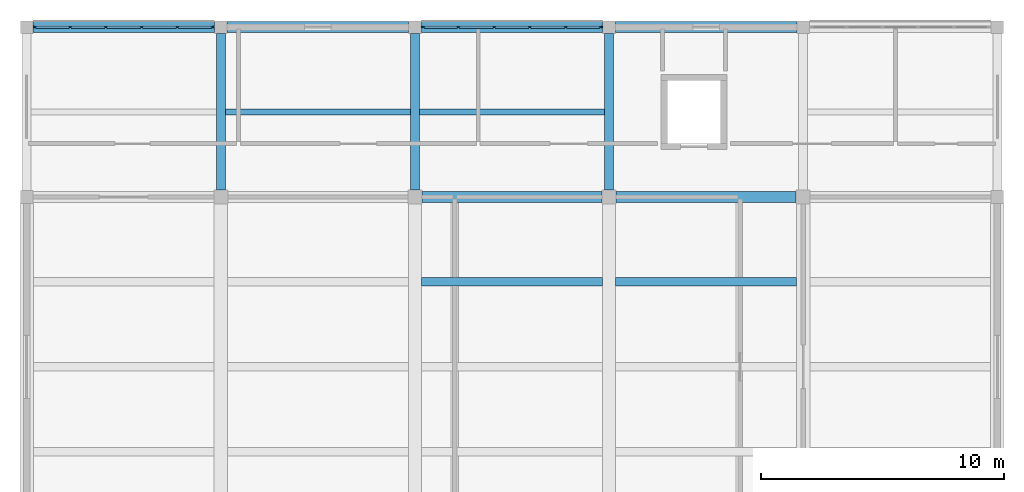
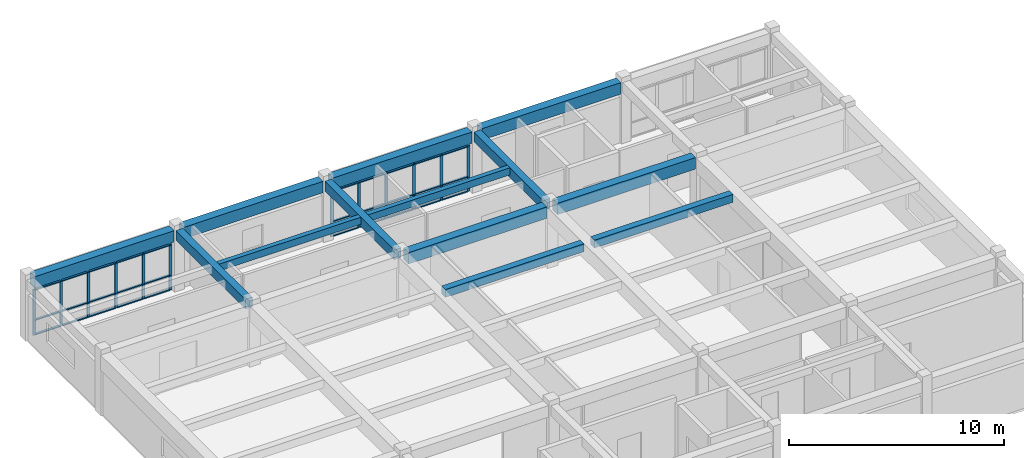
# One storey, part 2 of 7: 42 members, 13 beams, 2 elements without a shape of their own.
"""IFC4 building model written with IfcOpenShell, lengths in metres."""

from ifc_helpers import new_model, si_unit, direction, frame, origin, origin_2d, place, context, subcontext, project, spatial, rectangle, extrude, material, layer, layer_set, material_profile, profile_set, type_object, element, aggregate, save


model = new_model("IFC4")

# Units and contexts
model_context = context("Model", 3, precision=1e-05, world=origin(), true_north=direction((0.0, 1.0)))
body_context = subcontext(model_context, "Body", "Model", "MODEL_VIEW")
ifc_project = project(units=[si_unit("LENGTHUNIT", "METRE"), si_unit("AREAUNIT", "SQUARE_METRE"), si_unit("VOLUMEUNIT", "CUBIC_METRE"), si_unit("PLANEANGLEUNIT", "RADIAN"), si_unit("MASSUNIT", "GRAM", prefix="KILO")], contexts=[model_context])

# Site, building, storey
site_placement = place(None, origin())
site = spatial("IfcSite", under=ifc_project, at=site_placement, CompositionType="ELEMENT")
building_placement = place(site_placement, origin())
building = spatial("IfcBuilding", under=site, at=building_placement, Name="Naurynzar Civic Courthouse", CompositionType="ELEMENT")
storey_placement = place(building_placement, frame((0.0, 0.0, 37.050048828125)))
storey = spatial("IfcBuildingStorey", under=building, at=storey_placement, Name="L10", CompositionType="ELEMENT", Elevation=37.050048828125)

# Beams
ifc_material_1 = material(Name="Concrete C40/50", Category="concrete")
ifc_material_profile_1 = material_profile(ifc_material_1, rectangle(XDim=0.25, YDim=0.39990234375, at=origin_2d()), Name="RCB 250x400")
ifc_profile_set_1 = profile_set([ifc_material_profile_1], Name="Concrete C40/50")
beam_type_1 = type_object("IfcBeamType", Name="BM-JST-250x400", PredefinedType="JOIST", material=ifc_profile_set_1)
for number, where, z_axis, x_axis, name in (
    (1, (77.1875, 68.5, 3.27001953125), (1.0, 0.0, 0.0), (0.0, 1.0, 0.0), "V2 secondary rib 1183 L10"),
    (2, (85.1875, 68.5, 3.27001953125), (1.0, 0.0, 0.0), (0.0, 1.0, 0.0), "V2 secondary rib 1184 L10"),
):
    element("IfcBeam", number, at=place(storey_placement, frame(where, z_axis=z_axis, x_axis=x_axis)), inside=storey, type_object=beam_type_1, Name=name, PredefinedType="JOIST", context=body_context, shape_type="SweptSolid", body=[
        extrude(rectangle(XDim=0.25, YDim=0.39990234375, at=origin_2d()), origin(), (0.0, 0.0, 1.0), 7.625),
    ])
ifc_material_2 = material(Name="Concrete C40/50", Category="concrete")
ifc_material_profile_2 = material_profile(ifc_material_2, rectangle(XDim=0.35009765625, YDim=0.449951171875, at=origin_2d()), Name="RCB 350x450")
ifc_profile_set_2 = profile_set([ifc_material_profile_2], Name="Concrete C40/50")
beam_type_2 = type_object("IfcBeamType", Name="BM-RC-350x450", PredefinedType="BEAM", material=ifc_profile_set_2)
for number, where, z_axis, x_axis, name in (
    (3, (85.27490234375, 61.5, 3.244873046875), (1.0, 0.0, 0.0), (0.0, 1.0, 0.0), "V2 secondary rib 1175 L10"),
    (4, (93.27490234375, 61.5, 3.244873046875), (1.0, 0.0, 0.0), (0.0, 1.0, 0.0), "V2 secondary rib 1178 L10"),
):
    element("IfcBeam", number, at=place(storey_placement, frame(where, z_axis=z_axis, x_axis=x_axis)), inside=storey, type_object=beam_type_2, Name=name, PredefinedType="BEAM", context=body_context, shape_type="SweptSolid", body=[
        extrude(rectangle(XDim=0.35009765625, YDim=0.449951171875, at=origin_2d()), origin(), (0.0, 0.0, 1.0), 7.4501953125),
    ])
ifc_material_3 = material(Name="Concrete C40/50", Category="concrete")
ifc_material_profile_3 = material_profile(ifc_material_3, rectangle(XDim=0.375, YDim=0.550048828125, at=origin_2d()), Name="RCB 375x550")
ifc_profile_set_3 = profile_set([ifc_material_profile_3], Name="Concrete C40/50")
beam_type_3 = type_object("IfcBeamType", Name="BM-RC-375x550", PredefinedType="BEAM", material=ifc_profile_set_3)
for number, where, z_axis, x_axis, name in (
    (5, (77.0, 65.28759765625, 3.195068359375), (0.0, 1.0, 0.0), (-1.0, 0.0, 0.0), "V2 girder Y-1153 L10"),
    (6, (85.0, 65.28759765625, 3.195068359375), (0.0, 1.0, 0.0), (-1.0, 0.0, 0.0), "V2 girder Y-1156 L10"),
    (7, (93.0, 65.28759765625, 3.195068359375), (0.0, 1.0, 0.0), (-1.0, 0.0, 0.0), "V2 girder Y-1159 L10"),
):
    element("IfcBeam", number, at=place(storey_placement, frame(where, z_axis=z_axis, x_axis=x_axis)), inside=storey, type_object=beam_type_3, Name=name, PredefinedType="BEAM", context=body_context, shape_type="SweptSolid", body=[
        extrude(rectangle(XDim=0.375, YDim=0.550048828125, at=origin_2d()), origin(), (0.0, 0.0, 1.0), 6.449951171875),
    ])
ifc_material_4 = material(Name="Concrete C40/50", Category="concrete")
ifc_material_profile_4 = material_profile(ifc_material_4, rectangle(XDim=0.449951171875, YDim=0.64990234375, at=origin_2d()), Name="RCB 450x650")
ifc_profile_set_4 = profile_set([ifc_material_profile_4], Name="Concrete C40/50")
beam_type_4 = type_object("IfcBeamType", Name="BM-RC-450x650", PredefinedType="BEAM", material=ifc_profile_set_4)
for number, where, z_axis, x_axis, name in (
    (8, (85.28759765625, 65.0, 3.14501953125), (1.0, 0.0, 0.0), (0.0, 1.0, 0.0), "V2 beam X-1140 L10"),
    (9, (93.28759765625, 65.0, 3.14501953125), (1.0, 0.0, 0.0), (0.0, 1.0, 0.0), "V2 beam X-1141 L10"),
):
    element("IfcBeam", number, at=place(storey_placement, frame(where, z_axis=z_axis, x_axis=x_axis)), inside=storey, type_object=beam_type_4, Name=name, PredefinedType="BEAM", context=body_context, shape_type="SweptSolid", body=[
        extrude(rectangle(XDim=0.449951171875, YDim=0.64990234375, at=origin_2d()), origin(), (0.0, 0.0, 1.0), 7.4248046875),
    ])
for number, where, z_axis, x_axis, name in (
    (10, (69.262451171875, 72.0, 3.14501953125), (1.0, 0.0, 0.0), (0.0, 1.0, 0.0), "V2 beam X-1143 L10"),
    (11, (77.262451171875, 72.0, 3.14501953125), (1.0, 0.0, 0.0), (0.0, 1.0, 0.0), "V2 beam X-1144 L10"),
    (12, (85.262451171875, 72.0, 3.14501953125), (1.0, 0.0, 0.0), (0.0, 1.0, 0.0), "V2 beam X-1145 L10"),
    (13, (93.262451171875, 72.0, 3.14501953125), (1.0, 0.0, 0.0), (0.0, 1.0, 0.0), "V2 beam X-1146 L10"),
):
    element("IfcBeam", number, at=place(storey_placement, frame(where, z_axis=z_axis, x_axis=x_axis)), inside=storey, type_object=beam_type_4, Name=name, PredefinedType="BEAM", context=body_context, shape_type="SweptSolid", body=[
        extrude(rectangle(XDim=0.449951171875, YDim=0.64990234375, at=origin_2d()), origin(), (0.0, 0.0, 1.0), 7.47509765625),
    ])

# Curtain wall, members
ifc_material_5 = material(Name="Aluminium 6063-T6", Category="aluminium")
ifc_layer = layer(ifc_material_5, 0.179931640625)
ifc_layer_set = layer_set([ifc_layer], Name="CW-UNIT-1500")
curtain_wall_type = type_object("IfcCurtainWallType", Name="CW-UNIT-1500", PredefinedType="NOTDEFINED", material=ifc_layer_set)
curtain_wall_1_placement = place(storey_placement, origin())
curtain_wall_1 = element("IfcCurtainWall", 14, at=curtain_wall_1_placement, inside=storey, type_object=curtain_wall_type, Name="V2 unitised curtain wall 61 L10", PredefinedType="NOTDEFINED")
ifc_material_6 = material(Name="Aluminium 6063-T6", Category="aluminium")
ifc_material_profile_5 = material_profile(ifc_material_6, rectangle(XDim=0.06005859375, YDim=0.14990234375, at=origin_2d()), Name="ALU MULLION 60x150")
ifc_profile_set_5 = profile_set([ifc_material_profile_5], Name="Aluminium 6063-T6")
member_type_1 = type_object("IfcMemberType", Name="CWM-60x150", PredefinedType="MULLION", material=ifc_profile_set_5)
member_1_placement = place(storey_placement, frame((69.342529296875, 72.0, 0.0), z_axis=(0.0, 0.0, 1.0), x_axis=(0.0, 1.0, 0.0)))
member_1 = element("IfcMember", 15, at=member_1_placement, type_object=member_type_1, Name="CW-01 mullion 1", PredefinedType="MULLION", context=body_context, shape_type="SweptSolid", body=[
    extrude(rectangle(XDim=0.06005859375, YDim=0.14990234375, at=origin_2d()), origin(), (0.0, 0.0, 1.0), 2.599853515625),
])
member_2_placement = place(storey_placement, frame((70.78759765625, 72.0, 0.0), z_axis=(0.0, 0.0, 1.0), x_axis=(0.0, 1.0, 0.0)))
member_2 = element("IfcMember", 16, at=member_2_placement, type_object=member_type_1, Name="CW-01 mullion 2", PredefinedType="MULLION", context=body_context, shape_type="SweptSolid", body=[
    extrude(rectangle(XDim=0.06005859375, YDim=0.14990234375, at=origin_2d()), origin(), (0.0, 0.0, 1.0), 2.599853515625),
])
member_3_placement = place(storey_placement, frame((72.262451171875, 72.0, 0.0), z_axis=(0.0, 0.0, 1.0), x_axis=(0.0, 1.0, 0.0)))
member_3 = element("IfcMember", 17, at=member_3_placement, type_object=member_type_1, Name="CW-01 mullion 3", PredefinedType="MULLION", context=body_context, shape_type="SweptSolid", body=[
    extrude(rectangle(XDim=0.06005859375, YDim=0.14990234375, at=origin_2d()), origin(), (0.0, 0.0, 1.0), 2.599853515625),
])
member_4_placement = place(storey_placement, frame((73.737548828125, 72.0, 0.0), z_axis=(0.0, 0.0, 1.0), x_axis=(0.0, 1.0, 0.0)))
member_4 = element("IfcMember", 18, at=member_4_placement, type_object=member_type_1, Name="CW-01 mullion 4", PredefinedType="MULLION", context=body_context, shape_type="SweptSolid", body=[
    extrude(rectangle(XDim=0.06005859375, YDim=0.14990234375, at=origin_2d()), origin(), (0.0, 0.0, 1.0), 2.599853515625),
])
member_5_placement = place(storey_placement, frame((75.21240234375, 72.0, 0.0), z_axis=(0.0, 0.0, 1.0), x_axis=(0.0, 1.0, 0.0)))
member_5 = element("IfcMember", 19, at=member_5_placement, type_object=member_type_1, Name="CW-01 mullion 5", PredefinedType="MULLION", context=body_context, shape_type="SweptSolid", body=[
    extrude(rectangle(XDim=0.06005859375, YDim=0.14990234375, at=origin_2d()), origin(), (0.0, 0.0, 1.0), 2.599853515625),
])
member_6_placement = place(storey_placement, frame((76.657470703125, 72.0, 0.0), z_axis=(0.0, 0.0, 1.0), x_axis=(0.0, 1.0, 0.0)))
member_6 = element("IfcMember", 20, at=member_6_placement, type_object=member_type_1, Name="CW-01 mullion 6", PredefinedType="MULLION", context=body_context, shape_type="SweptSolid", body=[
    extrude(rectangle(XDim=0.06005859375, YDim=0.14990234375, at=origin_2d()), origin(), (0.0, 0.0, 1.0), 2.599853515625),
])

curtain_wall_2_placement = place(storey_placement, origin())
curtain_wall_2 = element("IfcCurtainWall", 21, at=curtain_wall_2_placement, inside=storey, type_object=curtain_wall_type, Name="V2 unitised curtain wall 62 L10", PredefinedType="NOTDEFINED")
member_7_placement = place(storey_placement, frame((85.342529296875, 72.0, 0.0), z_axis=(0.0, 0.0, 1.0), x_axis=(0.0, 1.0, 0.0)))
member_7 = element("IfcMember", 22, at=member_7_placement, type_object=member_type_1, Name="CW-01 mullion 1", PredefinedType="MULLION", context=body_context, shape_type="SweptSolid", body=[
    extrude(rectangle(XDim=0.06005859375, YDim=0.14990234375, at=origin_2d()), origin(), (0.0, 0.0, 1.0), 2.599853515625),
])
member_8_placement = place(storey_placement, frame((86.78759765625, 72.0, 0.0), z_axis=(0.0, 0.0, 1.0), x_axis=(0.0, 1.0, 0.0)))
member_8 = element("IfcMember", 23, at=member_8_placement, type_object=member_type_1, Name="CW-01 mullion 2", PredefinedType="MULLION", context=body_context, shape_type="SweptSolid", body=[
    extrude(rectangle(XDim=0.06005859375, YDim=0.14990234375, at=origin_2d()), origin(), (0.0, 0.0, 1.0), 2.599853515625),
])
member_9_placement = place(storey_placement, frame((88.262451171875, 72.0, 0.0), z_axis=(0.0, 0.0, 1.0), x_axis=(0.0, 1.0, 0.0)))
member_9 = element("IfcMember", 24, at=member_9_placement, type_object=member_type_1, Name="CW-01 mullion 3", PredefinedType="MULLION", context=body_context, shape_type="SweptSolid", body=[
    extrude(rectangle(XDim=0.06005859375, YDim=0.14990234375, at=origin_2d()), origin(), (0.0, 0.0, 1.0), 2.599853515625),
])
member_10_placement = place(storey_placement, frame((89.737548828125, 72.0, 0.0), z_axis=(0.0, 0.0, 1.0), x_axis=(0.0, 1.0, 0.0)))
member_10 = element("IfcMember", 25, at=member_10_placement, type_object=member_type_1, Name="CW-01 mullion 4", PredefinedType="MULLION", context=body_context, shape_type="SweptSolid", body=[
    extrude(rectangle(XDim=0.06005859375, YDim=0.14990234375, at=origin_2d()), origin(), (0.0, 0.0, 1.0), 2.599853515625),
])
member_11_placement = place(storey_placement, frame((91.21240234375, 72.0, 0.0), z_axis=(0.0, 0.0, 1.0), x_axis=(0.0, 1.0, 0.0)))
member_11 = element("IfcMember", 26, at=member_11_placement, type_object=member_type_1, Name="CW-01 mullion 5", PredefinedType="MULLION", context=body_context, shape_type="SweptSolid", body=[
    extrude(rectangle(XDim=0.06005859375, YDim=0.14990234375, at=origin_2d()), origin(), (0.0, 0.0, 1.0), 2.599853515625),
])
member_12_placement = place(storey_placement, frame((92.657470703125, 72.0, 0.0), z_axis=(0.0, 0.0, 1.0), x_axis=(0.0, 1.0, 0.0)))
member_12 = element("IfcMember", 27, at=member_12_placement, type_object=member_type_1, Name="CW-01 mullion 6", PredefinedType="MULLION", context=body_context, shape_type="SweptSolid", body=[
    extrude(rectangle(XDim=0.06005859375, YDim=0.14990234375, at=origin_2d()), origin(), (0.0, 0.0, 1.0), 2.599853515625),
])

# Member
ifc_material_7 = material(Name="Aluminium 6063-T6", Category="aluminium")
ifc_material_profile_6 = material_profile(ifc_material_7, rectangle(XDim=0.110107421875, YDim=0.06005859375, at=origin_2d()), Name="ALU TRANSOM 60x110")
ifc_profile_set_6 = profile_set([ifc_material_profile_6], Name="Aluminium 6063-T6")
member_type_2 = type_object("IfcMemberType", Name="CWT-60x110", PredefinedType="USERDEFINED", material=ifc_profile_set_6)
member_13_placement = place(storey_placement, frame((69.37255859375, 72.0, 0.030029296875), z_axis=(1.0, 0.0, 0.0), x_axis=(0.0, 1.0, 0.0)))
member_13 = element("IfcMember", 28, at=member_13_placement, type_object=member_type_2, Name="CW-01 transom 1.1", ObjectType="TRANSOM", PredefinedType="USERDEFINED", context=body_context, shape_type="SweptSolid", body=[
    extrude(rectangle(XDim=0.110107421875, YDim=0.06005859375, at=origin_2d()), origin(), (0.0, 0.0, 1.0), 1.385009765625),
])

member_14_placement = place(storey_placement, frame((69.37255859375, 72.0, 0.849853515625), z_axis=(1.0, 0.0, 0.0), x_axis=(0.0, 1.0, 0.0)))
member_14 = element("IfcMember", 29, at=member_14_placement, type_object=member_type_2, Name="CW-01 transom 1.2", ObjectType="TRANSOM", PredefinedType="USERDEFINED", context=body_context, shape_type="SweptSolid", body=[
    extrude(rectangle(XDim=0.110107421875, YDim=0.06005859375, at=origin_2d()), origin(), (0.0, 0.0, 1.0), 1.385009765625),
])

member_15_placement = place(storey_placement, frame((69.37255859375, 72.0, 2.570068359375), z_axis=(1.0, 0.0, 0.0), x_axis=(0.0, 1.0, 0.0)))
member_15 = element("IfcMember", 30, at=member_15_placement, type_object=member_type_2, Name="CW-01 transom 1.3", ObjectType="TRANSOM", PredefinedType="USERDEFINED", context=body_context, shape_type="SweptSolid", body=[
    extrude(rectangle(XDim=0.110107421875, YDim=0.06005859375, at=origin_2d()), origin(), (0.0, 0.0, 1.0), 1.385009765625),
])

member_16_placement = place(storey_placement, frame((70.8173828125, 72.0, 0.030029296875), z_axis=(1.0, 0.0, 0.0), x_axis=(0.0, 1.0, 0.0)))
member_16 = element("IfcMember", 31, at=member_16_placement, type_object=member_type_2, Name="CW-01 transom 2.1", ObjectType="TRANSOM", PredefinedType="USERDEFINED", context=body_context, shape_type="SweptSolid", body=[
    extrude(rectangle(XDim=0.110107421875, YDim=0.06005859375, at=origin_2d()), origin(), (0.0, 0.0, 1.0), 1.4150390625),
])

member_17_placement = place(storey_placement, frame((70.8173828125, 72.0, 0.849853515625), z_axis=(1.0, 0.0, 0.0), x_axis=(0.0, 1.0, 0.0)))
member_17 = element("IfcMember", 32, at=member_17_placement, type_object=member_type_2, Name="CW-01 transom 2.2", ObjectType="TRANSOM", PredefinedType="USERDEFINED", context=body_context, shape_type="SweptSolid", body=[
    extrude(rectangle(XDim=0.110107421875, YDim=0.06005859375, at=origin_2d()), origin(), (0.0, 0.0, 1.0), 1.4150390625),
])

member_18_placement = place(storey_placement, frame((70.8173828125, 72.0, 2.570068359375), z_axis=(1.0, 0.0, 0.0), x_axis=(0.0, 1.0, 0.0)))
member_18 = element("IfcMember", 33, at=member_18_placement, type_object=member_type_2, Name="CW-01 transom 2.3", ObjectType="TRANSOM", PredefinedType="USERDEFINED", context=body_context, shape_type="SweptSolid", body=[
    extrude(rectangle(XDim=0.110107421875, YDim=0.06005859375, at=origin_2d()), origin(), (0.0, 0.0, 1.0), 1.4150390625),
])

member_19_placement = place(storey_placement, frame((72.29248046875, 72.0, 0.030029296875), z_axis=(1.0, 0.0, 0.0), x_axis=(0.0, 1.0, 0.0)))
member_19 = element("IfcMember", 34, at=member_19_placement, type_object=member_type_2, Name="CW-01 transom 3.1", ObjectType="TRANSOM", PredefinedType="USERDEFINED", context=body_context, shape_type="SweptSolid", body=[
    extrude(rectangle(XDim=0.110107421875, YDim=0.06005859375, at=origin_2d()), origin(), (0.0, 0.0, 1.0), 1.4150390625),
])

member_20_placement = place(storey_placement, frame((72.29248046875, 72.0, 0.849853515625), z_axis=(1.0, 0.0, 0.0), x_axis=(0.0, 1.0, 0.0)))
member_20 = element("IfcMember", 35, at=member_20_placement, type_object=member_type_2, Name="CW-01 transom 3.2", ObjectType="TRANSOM", PredefinedType="USERDEFINED", context=body_context, shape_type="SweptSolid", body=[
    extrude(rectangle(XDim=0.110107421875, YDim=0.06005859375, at=origin_2d()), origin(), (0.0, 0.0, 1.0), 1.4150390625),
])

member_21_placement = place(storey_placement, frame((72.29248046875, 72.0, 2.570068359375), z_axis=(1.0, 0.0, 0.0), x_axis=(0.0, 1.0, 0.0)))
member_21 = element("IfcMember", 36, at=member_21_placement, type_object=member_type_2, Name="CW-01 transom 3.3", ObjectType="TRANSOM", PredefinedType="USERDEFINED", context=body_context, shape_type="SweptSolid", body=[
    extrude(rectangle(XDim=0.110107421875, YDim=0.06005859375, at=origin_2d()), origin(), (0.0, 0.0, 1.0), 1.4150390625),
])

member_22_placement = place(storey_placement, frame((73.767578125, 72.0, 0.030029296875), z_axis=(1.0, 0.0, 0.0), x_axis=(0.0, 1.0, 0.0)))
member_22 = element("IfcMember", 37, at=member_22_placement, type_object=member_type_2, Name="CW-01 transom 4.1", ObjectType="TRANSOM", PredefinedType="USERDEFINED", context=body_context, shape_type="SweptSolid", body=[
    extrude(rectangle(XDim=0.110107421875, YDim=0.06005859375, at=origin_2d()), origin(), (0.0, 0.0, 1.0), 1.4150390625),
])

member_23_placement = place(storey_placement, frame((73.767578125, 72.0, 0.849853515625), z_axis=(1.0, 0.0, 0.0), x_axis=(0.0, 1.0, 0.0)))
member_23 = element("IfcMember", 38, at=member_23_placement, type_object=member_type_2, Name="CW-01 transom 4.2", ObjectType="TRANSOM", PredefinedType="USERDEFINED", context=body_context, shape_type="SweptSolid", body=[
    extrude(rectangle(XDim=0.110107421875, YDim=0.06005859375, at=origin_2d()), origin(), (0.0, 0.0, 1.0), 1.4150390625),
])

member_24_placement = place(storey_placement, frame((73.767578125, 72.0, 2.570068359375), z_axis=(1.0, 0.0, 0.0), x_axis=(0.0, 1.0, 0.0)))
member_24 = element("IfcMember", 39, at=member_24_placement, type_object=member_type_2, Name="CW-01 transom 4.3", ObjectType="TRANSOM", PredefinedType="USERDEFINED", context=body_context, shape_type="SweptSolid", body=[
    extrude(rectangle(XDim=0.110107421875, YDim=0.06005859375, at=origin_2d()), origin(), (0.0, 0.0, 1.0), 1.4150390625),
])

member_25_placement = place(storey_placement, frame((75.242431640625, 72.0, 0.030029296875), z_axis=(1.0, 0.0, 0.0), x_axis=(0.0, 1.0, 0.0)))
member_25 = element("IfcMember", 40, at=member_25_placement, type_object=member_type_2, Name="CW-01 transom 5.1", ObjectType="TRANSOM", PredefinedType="USERDEFINED", context=body_context, shape_type="SweptSolid", body=[
    extrude(rectangle(XDim=0.110107421875, YDim=0.06005859375, at=origin_2d()), origin(), (0.0, 0.0, 1.0), 1.385009765625),
])

member_26_placement = place(storey_placement, frame((75.242431640625, 72.0, 0.849853515625), z_axis=(1.0, 0.0, 0.0), x_axis=(0.0, 1.0, 0.0)))
member_26 = element("IfcMember", 41, at=member_26_placement, type_object=member_type_2, Name="CW-01 transom 5.2", ObjectType="TRANSOM", PredefinedType="USERDEFINED", context=body_context, shape_type="SweptSolid", body=[
    extrude(rectangle(XDim=0.110107421875, YDim=0.06005859375, at=origin_2d()), origin(), (0.0, 0.0, 1.0), 1.385009765625),
])

member_27_placement = place(storey_placement, frame((75.242431640625, 72.0, 2.570068359375), z_axis=(1.0, 0.0, 0.0), x_axis=(0.0, 1.0, 0.0)))
member_27 = element("IfcMember", 42, at=member_27_placement, type_object=member_type_2, Name="CW-01 transom 5.3", ObjectType="TRANSOM", PredefinedType="USERDEFINED", context=body_context, shape_type="SweptSolid", body=[
    extrude(rectangle(XDim=0.110107421875, YDim=0.06005859375, at=origin_2d()), origin(), (0.0, 0.0, 1.0), 1.385009765625),
])

aggregate(curtain_wall_1, [member_1, member_2, member_3, member_4, member_5, member_6, member_13, member_14, member_15, member_16, member_17, member_18, member_19, member_20, member_21, member_22, member_23, member_24, member_25, member_26, member_27])

member_28_placement = place(storey_placement, frame((85.37255859375, 72.0, 0.030029296875), z_axis=(1.0, 0.0, 0.0), x_axis=(0.0, 1.0, 0.0)))
member_28 = element("IfcMember", 43, at=member_28_placement, type_object=member_type_2, Name="CW-01 transom 1.1", ObjectType="TRANSOM", PredefinedType="USERDEFINED", context=body_context, shape_type="SweptSolid", body=[
    extrude(rectangle(XDim=0.110107421875, YDim=0.06005859375, at=origin_2d()), origin(), (0.0, 0.0, 1.0), 1.385009765625),
])

member_29_placement = place(storey_placement, frame((85.37255859375, 72.0, 0.849853515625), z_axis=(1.0, 0.0, 0.0), x_axis=(0.0, 1.0, 0.0)))
member_29 = element("IfcMember", 44, at=member_29_placement, type_object=member_type_2, Name="CW-01 transom 1.2", ObjectType="TRANSOM", PredefinedType="USERDEFINED", context=body_context, shape_type="SweptSolid", body=[
    extrude(rectangle(XDim=0.110107421875, YDim=0.06005859375, at=origin_2d()), origin(), (0.0, 0.0, 1.0), 1.385009765625),
])

member_30_placement = place(storey_placement, frame((85.37255859375, 72.0, 2.570068359375), z_axis=(1.0, 0.0, 0.0), x_axis=(0.0, 1.0, 0.0)))
member_30 = element("IfcMember", 45, at=member_30_placement, type_object=member_type_2, Name="CW-01 transom 1.3", ObjectType="TRANSOM", PredefinedType="USERDEFINED", context=body_context, shape_type="SweptSolid", body=[
    extrude(rectangle(XDim=0.110107421875, YDim=0.06005859375, at=origin_2d()), origin(), (0.0, 0.0, 1.0), 1.385009765625),
])

member_31_placement = place(storey_placement, frame((86.8173828125, 72.0, 0.030029296875), z_axis=(1.0, 0.0, 0.0), x_axis=(0.0, 1.0, 0.0)))
member_31 = element("IfcMember", 46, at=member_31_placement, type_object=member_type_2, Name="CW-01 transom 2.1", ObjectType="TRANSOM", PredefinedType="USERDEFINED", context=body_context, shape_type="SweptSolid", body=[
    extrude(rectangle(XDim=0.110107421875, YDim=0.06005859375, at=origin_2d()), origin(), (0.0, 0.0, 1.0), 1.4150390625),
])

member_32_placement = place(storey_placement, frame((86.8173828125, 72.0, 0.849853515625), z_axis=(1.0, 0.0, 0.0), x_axis=(0.0, 1.0, 0.0)))
member_32 = element("IfcMember", 47, at=member_32_placement, type_object=member_type_2, Name="CW-01 transom 2.2", ObjectType="TRANSOM", PredefinedType="USERDEFINED", context=body_context, shape_type="SweptSolid", body=[
    extrude(rectangle(XDim=0.110107421875, YDim=0.06005859375, at=origin_2d()), origin(), (0.0, 0.0, 1.0), 1.4150390625),
])

member_33_placement = place(storey_placement, frame((86.8173828125, 72.0, 2.570068359375), z_axis=(1.0, 0.0, 0.0), x_axis=(0.0, 1.0, 0.0)))
member_33 = element("IfcMember", 48, at=member_33_placement, type_object=member_type_2, Name="CW-01 transom 2.3", ObjectType="TRANSOM", PredefinedType="USERDEFINED", context=body_context, shape_type="SweptSolid", body=[
    extrude(rectangle(XDim=0.110107421875, YDim=0.06005859375, at=origin_2d()), origin(), (0.0, 0.0, 1.0), 1.4150390625),
])

member_34_placement = place(storey_placement, frame((88.29248046875, 72.0, 0.030029296875), z_axis=(1.0, 0.0, 0.0), x_axis=(0.0, 1.0, 0.0)))
member_34 = element("IfcMember", 49, at=member_34_placement, type_object=member_type_2, Name="CW-01 transom 3.1", ObjectType="TRANSOM", PredefinedType="USERDEFINED", context=body_context, shape_type="SweptSolid", body=[
    extrude(rectangle(XDim=0.110107421875, YDim=0.06005859375, at=origin_2d()), origin(), (0.0, 0.0, 1.0), 1.4150390625),
])

member_35_placement = place(storey_placement, frame((88.29248046875, 72.0, 0.849853515625), z_axis=(1.0, 0.0, 0.0), x_axis=(0.0, 1.0, 0.0)))
member_35 = element("IfcMember", 50, at=member_35_placement, type_object=member_type_2, Name="CW-01 transom 3.2", ObjectType="TRANSOM", PredefinedType="USERDEFINED", context=body_context, shape_type="SweptSolid", body=[
    extrude(rectangle(XDim=0.110107421875, YDim=0.06005859375, at=origin_2d()), origin(), (0.0, 0.0, 1.0), 1.4150390625),
])

member_36_placement = place(storey_placement, frame((88.29248046875, 72.0, 2.570068359375), z_axis=(1.0, 0.0, 0.0), x_axis=(0.0, 1.0, 0.0)))
member_36 = element("IfcMember", 51, at=member_36_placement, type_object=member_type_2, Name="CW-01 transom 3.3", ObjectType="TRANSOM", PredefinedType="USERDEFINED", context=body_context, shape_type="SweptSolid", body=[
    extrude(rectangle(XDim=0.110107421875, YDim=0.06005859375, at=origin_2d()), origin(), (0.0, 0.0, 1.0), 1.4150390625),
])

member_37_placement = place(storey_placement, frame((89.767578125, 72.0, 0.030029296875), z_axis=(1.0, 0.0, 0.0), x_axis=(0.0, 1.0, 0.0)))
member_37 = element("IfcMember", 52, at=member_37_placement, type_object=member_type_2, Name="CW-01 transom 4.1", ObjectType="TRANSOM", PredefinedType="USERDEFINED", context=body_context, shape_type="SweptSolid", body=[
    extrude(rectangle(XDim=0.110107421875, YDim=0.06005859375, at=origin_2d()), origin(), (0.0, 0.0, 1.0), 1.4150390625),
])

member_38_placement = place(storey_placement, frame((89.767578125, 72.0, 0.849853515625), z_axis=(1.0, 0.0, 0.0), x_axis=(0.0, 1.0, 0.0)))
member_38 = element("IfcMember", 53, at=member_38_placement, type_object=member_type_2, Name="CW-01 transom 4.2", ObjectType="TRANSOM", PredefinedType="USERDEFINED", context=body_context, shape_type="SweptSolid", body=[
    extrude(rectangle(XDim=0.110107421875, YDim=0.06005859375, at=origin_2d()), origin(), (0.0, 0.0, 1.0), 1.4150390625),
])

member_39_placement = place(storey_placement, frame((89.767578125, 72.0, 2.570068359375), z_axis=(1.0, 0.0, 0.0), x_axis=(0.0, 1.0, 0.0)))
member_39 = element("IfcMember", 54, at=member_39_placement, type_object=member_type_2, Name="CW-01 transom 4.3", ObjectType="TRANSOM", PredefinedType="USERDEFINED", context=body_context, shape_type="SweptSolid", body=[
    extrude(rectangle(XDim=0.110107421875, YDim=0.06005859375, at=origin_2d()), origin(), (0.0, 0.0, 1.0), 1.4150390625),
])

member_40_placement = place(storey_placement, frame((91.242431640625, 72.0, 0.030029296875), z_axis=(1.0, 0.0, 0.0), x_axis=(0.0, 1.0, 0.0)))
member_40 = element("IfcMember", 55, at=member_40_placement, type_object=member_type_2, Name="CW-01 transom 5.1", ObjectType="TRANSOM", PredefinedType="USERDEFINED", context=body_context, shape_type="SweptSolid", body=[
    extrude(rectangle(XDim=0.110107421875, YDim=0.06005859375, at=origin_2d()), origin(), (0.0, 0.0, 1.0), 1.385009765625),
])

member_41_placement = place(storey_placement, frame((91.242431640625, 72.0, 0.849853515625), z_axis=(1.0, 0.0, 0.0), x_axis=(0.0, 1.0, 0.0)))
member_41 = element("IfcMember", 56, at=member_41_placement, type_object=member_type_2, Name="CW-01 transom 5.2", ObjectType="TRANSOM", PredefinedType="USERDEFINED", context=body_context, shape_type="SweptSolid", body=[
    extrude(rectangle(XDim=0.110107421875, YDim=0.06005859375, at=origin_2d()), origin(), (0.0, 0.0, 1.0), 1.385009765625),
])

member_42_placement = place(storey_placement, frame((91.242431640625, 72.0, 2.570068359375), z_axis=(1.0, 0.0, 0.0), x_axis=(0.0, 1.0, 0.0)))
member_42 = element("IfcMember", 57, at=member_42_placement, type_object=member_type_2, Name="CW-01 transom 5.3", ObjectType="TRANSOM", PredefinedType="USERDEFINED", context=body_context, shape_type="SweptSolid", body=[
    extrude(rectangle(XDim=0.110107421875, YDim=0.06005859375, at=origin_2d()), origin(), (0.0, 0.0, 1.0), 1.385009765625),
])

aggregate(curtain_wall_2, [member_7, member_8, member_9, member_10, member_11, member_12, member_28, member_29, member_30, member_31, member_32, member_33, member_34, member_35, member_36, member_37, member_38, member_39, member_40, member_41, member_42])

save(model, "model.ifc")
